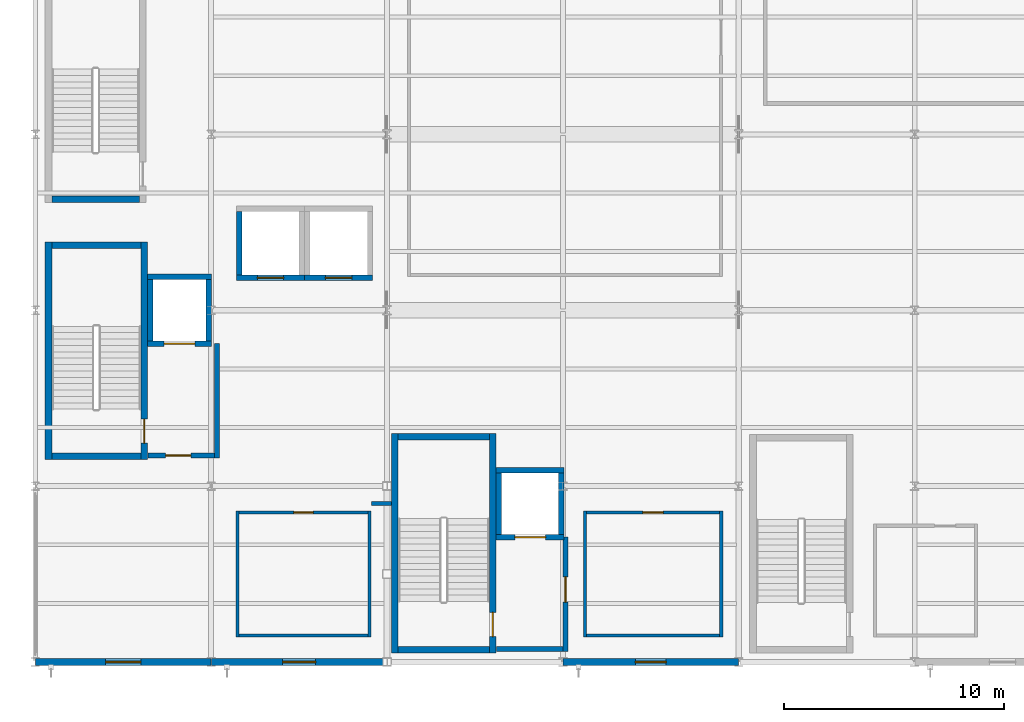
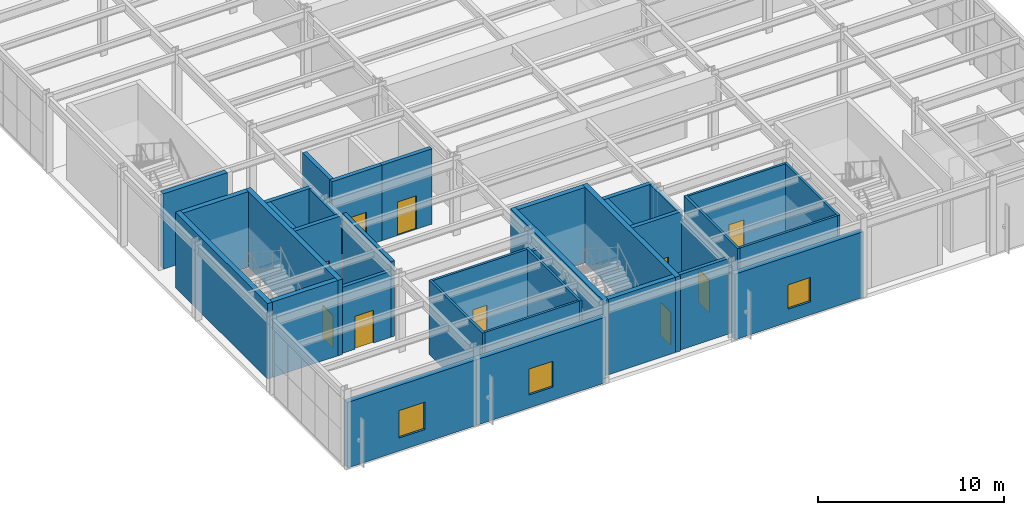
# One storey, part 56 of 77: 36 walls, 10 doors, 3 windows, 13 openings.
"""IFC4 building model written with IfcOpenShell, lengths in metres."""

import ifcopenshell
import ifcopenshell.guid

model = None  # the IFC model being written
_history = None  # IfcOwnerHistory: only IFC2X3 demands one
_inside = {}  # id of a spatial element -> (the spatial element, [elements in it])
_under = {}  # id of a project, library or spatial element -> (it, [spatial elements below it])
_declared = {}  # id of a project -> (the project, [libraries it declares])
_typed = {}  # id of a type object -> (the type object, [elements of that type])
_made_of = {}  # id of a material, layer set ... -> (it, [elements and type objects made of it])


def new_model(schema):
    """Start an empty IFC model of exactly this schema.

    Asked for "IFC4X3", IfcOpenShell would pick the latest addendum, in which some entities
    have other attributes; the version numbers below select the first issue.
    IFC2X3 requires an IfcOwnerHistory on every rooted entity: one is made here for all.
    """
    global model, _history
    if schema == "IFC4X3":
        model = ifcopenshell.file(schema_version=(4, 3, 0, 0))
    else:
        model = ifcopenshell.file(schema=schema)
    _inside.clear()
    _under.clear()
    _declared.clear()
    _typed.clear()
    _made_of.clear()
    _history = None
    if model.schema == "IFC2X3":
        org = make("IfcOrganization", Name="unknown")
        user = make(
            "IfcPersonAndOrganization",
            ThePerson=make("IfcPerson", FamilyName="unknown"),
            TheOrganization=org,
        )
        app = make(
            "IfcApplication",
            ApplicationDeveloper=org,
            Version="unknown",
            ApplicationFullName="unknown",
            ApplicationIdentifier="unknown",
        )
        _history = make(
            "IfcOwnerHistory",
            OwningUser=user,
            OwningApplication=app,
            ChangeAction="ADDED",
            CreationDate=0,
        )
    return model


def make(cls, **values):
    """One entity of the class cls with the attributes given. An attribute that is None is left unset."""
    return model.create_entity(
        cls, **{name: value for name, value in values.items() if value is not None}
    )


def rooted(cls, **values):
    """An entity with a GlobalId (a new one), such as an element, a storey or a relation."""
    return make(cls, GlobalId=ifcopenshell.guid.new(), OwnerHistory=_history, **values)


def si_unit(unit_type, name, prefix=None):
    """IfcSIUnit, for example si_unit("LENGTHUNIT", "METRE", prefix="MILLI")."""
    return make("IfcSIUnit", UnitType=unit_type, Prefix=prefix, Name=name)


def assignment(units):
    """IfcUnitAssignment: the units of a project."""
    return None if units is None else make("IfcUnitAssignment", Units=units)


def point(xyz):
    """IfcCartesianPoint."""
    return None if xyz is None else make("IfcCartesianPoint", Coordinates=xyz)


def direction(xyz):
    """IfcDirection."""
    return None if xyz is None else make("IfcDirection", DirectionRatios=xyz)


def frame(location, z_axis=None, x_axis=None):
    """IfcAxis2Placement3D, a coordinate frame: its origin and axes. An axis left out is left unset."""
    return make(
        "IfcAxis2Placement3D",
        Location=point(location),
        Axis=direction(z_axis),
        RefDirection=direction(x_axis),
    )


def frame_2d(location, x_axis=None):
    """IfcAxis2Placement2D, a coordinate frame in the plane: its origin and x axis."""
    return make(
        "IfcAxis2Placement2D", Location=point(location), RefDirection=direction(x_axis)
    )


def origin():
    """The frame at (0, 0, 0) with its axes left unset."""
    return frame((0.0, 0.0, 0.0))


def place(relative_to, where):
    """IfcLocalPlacement: puts the frame where relative to a parent placement (None: the world)."""
    return make(
        "IfcLocalPlacement", PlacementRelTo=relative_to, RelativePlacement=where
    )


def context(
    kind, dimensions, precision=None, world=None, true_north=None, identifier=None
):
    """IfcGeometricRepresentationContext, for example the 3D "Model" context."""
    return make(
        "IfcGeometricRepresentationContext",
        ContextIdentifier=identifier,
        ContextType=kind,
        CoordinateSpaceDimension=dimensions,
        Precision=precision,
        WorldCoordinateSystem=world,
        TrueNorth=true_north,
    )


def subcontext(parent, identifier, kind, view, scale=None):
    """IfcGeometricRepresentationSubContext, for example "Body" below "Model"."""
    return make(
        "IfcGeometricRepresentationSubContext",
        ContextIdentifier=identifier,
        ContextType=kind,
        ParentContext=parent,
        TargetScale=scale,
        TargetView=view,
    )


def project(units=None, contexts=None):
    """IfcProject with its units and contexts."""
    return rooted(
        "IfcProject",
        Name="project",
        RepresentationContexts=contexts,
        UnitsInContext=assignment(units),
    )


def spatial(cls, under=None, at=None, **own):
    """A site, building, storey or space (cls), placed at a placement, below another one or the project."""
    s = rooted(cls, ObjectPlacement=at, **own)
    if under is not None:
        _under.setdefault(under.id(), (under, []))[1].append(s)
    return s


def profile(cls, at=None, kind="AREA", **sizes):
    """A parametric profile (cls). Its sizes go by their IFC names, for example OverallWidth=200.0."""
    return make(cls, ProfileType=kind, Position=at, **sizes)


def rectangle(**sizes):
    """IfcRectangleProfileDef."""
    return profile("IfcRectangleProfileDef", **sizes)


def extrude(swept, where, along, depth):
    """IfcExtrudedAreaSolid: the profile swept, set in the frame where, extruded along a direction by depth."""
    return make(
        "IfcExtrudedAreaSolid",
        SweptArea=swept,
        Position=where,
        ExtrudedDirection=direction(along),
        Depth=depth,
    )


def shape(context_of_items, identifier, shape_type, items):
    """IfcShapeRepresentation: the items that make up one representation, for example the "Body"."""
    return make(
        "IfcShapeRepresentation",
        ContextOfItems=context_of_items,
        RepresentationIdentifier=identifier,
        RepresentationType=shape_type,
        Items=items,
    )


def material(Name=None, Category=None):
    """IfcMaterial."""
    return make("IfcMaterial", Name=Name, Category=Category)


def layer(
    of_material, thickness, ventilated=None, Name=None, Category=None, Priority=None
):
    """IfcMaterialLayer: one layer of a wall or slab, of a material (None: an air gap)."""
    return make(
        "IfcMaterialLayer",
        Material=of_material,
        LayerThickness=thickness,
        IsVentilated=ventilated,
        Name=Name,
        Category=Category,
        Priority=Priority,
    )


def layer_set(layers, Name=None):
    """IfcMaterialLayerSet."""
    return make("IfcMaterialLayerSet", MaterialLayers=layers, LayerSetName=Name)


def made_of(thing, what):
    """Note that an element or type object is made of a material, layer set ...; save() writes the relation."""
    if what is not None:
        _made_of.setdefault(what.id(), (what, []))[1].append(thing)
    return thing


def type_object(cls, material=None, **own):
    """A type object (cls), such as IfcWallType, which elements share."""
    return made_of(rooted(cls, **own), material)


def element(
    cls,
    number,
    at=None,
    inside=None,
    cuts=None,
    type_object=None,
    material=None,
    context=None,
    identifier="Body",
    shape_type=None,
    held_by="IfcProductDefinitionShape",
    body=None,
    shapes=None,
    **own,
):
    """One element of the class cls, such as IfcWall. Its Tag is "e" and its number.

    at: its placement. inside: the storey or other place that contains it. cuts: it is an
    opening in that element (IfcRelVoidsElement). A single representation is given by context,
    identifier, shape_type and body (its items); several are given by shapes. held_by: the class
    of the entity that holds the representations. save() writes the other relations.
    """
    e = rooted(cls, Tag="e%d" % number, ObjectPlacement=at, **own)
    if body is not None:
        shapes = [shape(context, identifier, shape_type, body)]
    if shapes is not None:
        e.Representation = make(held_by, Representations=shapes)
    if inside is not None:
        _inside.setdefault(inside.id(), (inside, []))[1].append(e)
    if cuts is not None:
        rooted(
            "IfcRelVoidsElement", RelatingBuildingElement=cuts, RelatedOpeningElement=e
        )
    if type_object is not None:
        _typed.setdefault(type_object.id(), (type_object, []))[1].append(e)
    return made_of(e, material)


def fill(opening, filler):
    """IfcRelFillsElement: the door or window that sits in an opening."""
    return rooted(
        "IfcRelFillsElement",
        RelatingOpeningElement=opening,
        RelatedBuildingElement=filler,
    )


def aggregate(whole, parts):
    """IfcRelAggregates: a whole, such as a stair, and the parts it consists of."""
    return rooted("IfcRelAggregates", RelatingObject=whole, RelatedObjects=parts)


def save(model, path):
    """Write the relations noted so far, then the file.

    IfcRelAggregates (storeys below a building ...), IfcRelContainedInSpatialStructure (elements
    in a storey), IfcRelDefinesByType, IfcRelAssociatesMaterial and IfcRelDeclares: one each for
    every whole, place, type object, material and project.
    """
    for whole, parts in _under.values():
        aggregate(whole, parts)
    for where, things in _inside.values():
        rooted(
            "IfcRelContainedInSpatialStructure",
            RelatedElements=things,
            RelatingStructure=where,
        )
    for kind, things in _typed.values():
        rooted("IfcRelDefinesByType", RelatedObjects=things, RelatingType=kind)
    for what, things in _made_of.values():
        rooted("IfcRelAssociatesMaterial", RelatedObjects=things, RelatingMaterial=what)
    for by, libraries in _declared.values():
        rooted("IfcRelDeclares", RelatingContext=by, RelatedDefinitions=libraries)
    model.write(path)


model = new_model("IFC4")

# Units and contexts
model_context = context("Model", 3, precision=1e-05, world=origin(), true_north=direction((0.0, 1.0)))
body_context = subcontext(model_context, "Body", "Model", "MODEL_VIEW")
ifc_project = project(units=[si_unit("LENGTHUNIT", "METRE"), si_unit("AREAUNIT", "SQUARE_METRE"), si_unit("VOLUMEUNIT", "CUBIC_METRE"), si_unit("PLANEANGLEUNIT", "RADIAN"), si_unit("MASSUNIT", "GRAM", prefix="KILO")], contexts=[model_context])

# Site, building, storey
site_placement = place(None, origin())
site = spatial("IfcSite", under=ifc_project, at=site_placement, CompositionType="ELEMENT")
building_placement = place(site_placement, origin())
building = spatial("IfcBuilding", under=site, at=building_placement, Name="Drelvath Fold Interchange", CompositionType="ELEMENT")
storey_placement = place(building_placement, frame((0.0, 0.0, 6.0)))
storey = spatial("IfcBuildingStorey", under=building, at=storey_placement, Name="L01", CompositionType="ELEMENT", Elevation=6.0)

# Wall
ifc_material_1 = material(Name="Concrete f'c 45 MPa (6500 psi)", Category="concrete")
ifc_layer_1 = layer(ifc_material_1, 0.300048828125, Name="Concrete f'c 45 MPa (6500 psi)")
ifc_layer_set_1 = layer_set([ifc_layer_1], Name="Concrete f'c 45 MPa (6500 psi)")
wall_type_1 = type_object("IfcWallType", Name="WL-CR300", PredefinedType="SHEAR", material=ifc_layer_set_1)
wall_1_placement = place(storey_placement, frame((4.75, 12.35009765625, 0.0), z_axis=(0.0, 0.0, 1.0), x_axis=(1.0, 0.0, 0.0)))
element("IfcWall", 1, at=wall_1_placement, inside=storey, type_object=wall_type_1, Name="ST-01 L01 south core wall", PredefinedType="SHEAR", context=body_context, shape_type="SweptSolid", body=[
    extrude(rectangle(XDim=4.06005859375, YDim=0.300048828125, at=frame_2d((2.030029296875, 0.0))), origin(), (0.0, 0.0, 1.0), 4.945068359375),
])

# Wall, opening, door
wall_2_placement = place(storey_placement, frame((8.9599609375, 12.199951171875, 0.0), z_axis=(0.0, 0.0, 1.0), x_axis=(0.0, 1.0, 0.0)))
wall_2 = element("IfcWall", 2, at=wall_2_placement, inside=storey, type_object=wall_type_1, Name="ST-01 L01 east core wall", PredefinedType="SHEAR", context=body_context, shape_type="SweptSolid", body=[
    extrude(rectangle(XDim=9.900146484375, YDim=0.300048828125, at=frame_2d((4.9501953125, 0.0))), origin(), (0.0, 0.0, 1.0), 4.945068359375),
])
opening_1_placement = place(wall_2_placement, frame((0.75, 0.0, 0.0)))
opening_1 = element("IfcOpeningElement", 3, at=opening_1_placement, cuts=wall_2, Name="Opening D-L01-004", PredefinedType="OPENING", context=body_context, shape_type="SweptSolid", body=[
    extrude(rectangle(XDim=1.10009765625, YDim=2.14990234375, at=frame_2d((0.550048828125, 1.074951171875))), frame((0.0, 0.159912109375, 0.0), z_axis=(0.0, -1.0, 0.0), x_axis=(1.0, 0.0, 0.0)), (0.0, 0.0, 1.0), 0.320068359375),
])
ifc_material_2 = material(Name="Insulated Hollow Metal Door Assembly")
door_type_1 = type_object("IfcDoorType", Name="DR-ST1100", OperationType="NOTDEFINED", PredefinedType="DOOR", material=ifc_material_2)
door_1_placement = place(opening_1_placement, origin())
door_1 = element("IfcDoor", 4, at=door_1_placement, inside=storey, type_object=door_type_1, Name="ST-01 L01 stair fire door D-L01-004", OperationType="SINGLE_SWING_RIGHT", OverallHeight=2.14990234375, OverallWidth=1.10009765625, PredefinedType="DOOR", context=body_context, shape_type="SweptSolid", body=[
    extrude(rectangle(XDim=1.10009765625, YDim=2.14990234375, at=frame_2d((0.550048828125, 1.074951171875))), frame((0.0, 0.02490234375, 0.0), z_axis=(0.0, -1.0, 0.0), x_axis=(1.0, 0.0, 0.0)), (0.0, 0.0, 1.0), 0.050048828125),
])
fill(opening_1, door_1)

# Walls
wall_3_placement = place(storey_placement, frame((8.81005859375, 21.949951171875, 0.0), z_axis=(0.0, 0.0, 1.0), x_axis=(-1.0, 0.0, 0.0)))
element("IfcWall", 5, at=wall_3_placement, inside=storey, type_object=wall_type_1, Name="ST-01 L01 north core wall", PredefinedType="SHEAR", context=body_context, shape_type="SweptSolid", body=[
    extrude(rectangle(XDim=4.06005859375, YDim=0.300048828125, at=frame_2d((2.030029296875, 0.0))), origin(), (0.0, 0.0, 1.0), 4.945068359375),
])
wall_4_placement = place(storey_placement, frame((4.60009765625, 22.10009765625, 0.0), z_axis=(0.0, 0.0, 1.0), x_axis=(0.0, -1.0, 0.0)))
element("IfcWall", 6, at=wall_4_placement, inside=storey, type_object=wall_type_1, Name="ST-01 L01 west core wall", PredefinedType="SHEAR", context=body_context, shape_type="SweptSolid", body=[
    extrude(rectangle(XDim=9.900146484375, YDim=0.300048828125, at=frame_2d((4.9501953125, 0.0))), origin(), (0.0, 0.0, 1.0), 4.945068359375),
])
wall_5_placement = place(storey_placement, frame((4.75, 24.050048828125, 0.0), z_axis=(0.0, 0.0, 1.0), x_axis=(1.0, 0.0, 0.0)))
element("IfcWall", 7, at=wall_5_placement, inside=storey, type_object=wall_type_1, Name="ST-02 L01 south core wall", PredefinedType="SHEAR", context=body_context, shape_type="SweptSolid", body=[
    extrude(rectangle(XDim=3.97998046875, YDim=0.300048828125, at=frame_2d((1.989990234375, 0.0))), origin(), (0.0, 0.0, 1.0), 4.945068359375),
])
wall_6_placement = place(storey_placement, frame((20.5, 3.550048828125, 0.0), z_axis=(0.0, 0.0, 1.0), x_axis=(1.0, 0.0, 0.0)))
element("IfcWall", 8, at=wall_6_placement, inside=storey, type_object=wall_type_1, Name="ST-03 L01 south core wall", PredefinedType="SHEAR", context=body_context, shape_type="SweptSolid", body=[
    extrude(rectangle(XDim=4.159912109375, YDim=0.300048828125, at=frame_2d((2.080078125, 0.0))), origin(), (0.0, 0.0, 1.0), 4.945068359375),
])

# Wall, opening, door
wall_7_placement = place(storey_placement, frame((24.81005859375, 3.39990234375, 0.0), z_axis=(0.0, 0.0, 1.0), x_axis=(0.0, 1.0, 0.0)))
wall_7 = element("IfcWall", 9, at=wall_7_placement, inside=storey, type_object=wall_type_1, Name="ST-03 L01 east core wall", PredefinedType="SHEAR", context=body_context, shape_type="SweptSolid", body=[
    extrude(rectangle(XDim=10.0, YDim=0.300048828125, at=frame_2d((5.0, 0.0))), origin(), (0.0, 0.0, 1.0), 4.945068359375),
])
opening_2_placement = place(wall_7_placement, frame((0.75, 0.0, 0.0)))
opening_2 = element("IfcOpeningElement", 10, at=opening_2_placement, cuts=wall_7, Name="Opening D-L01-020", PredefinedType="OPENING", context=body_context, shape_type="SweptSolid", body=[
    extrude(rectangle(XDim=1.10009765625, YDim=2.14990234375, at=frame_2d((0.550048828125, 1.074951171875))), frame((0.0, 0.159912109375, 0.0), z_axis=(0.0, -1.0, 0.0), x_axis=(1.0, 0.0, 0.0)), (0.0, 0.0, 1.0), 0.320068359375),
])
door_2_placement = place(opening_2_placement, origin())
door_2 = element("IfcDoor", 11, at=door_2_placement, inside=storey, type_object=door_type_1, Name="ST-03 L01 stair fire door D-L01-020", OperationType="SINGLE_SWING_RIGHT", OverallHeight=2.14990234375, OverallWidth=1.10009765625, PredefinedType="DOOR", context=body_context, shape_type="SweptSolid", body=[
    extrude(rectangle(XDim=1.10009765625, YDim=2.14990234375, at=frame_2d((0.550048828125, 1.074951171875))), frame((0.0, 0.02490234375, 0.0), z_axis=(0.0, -1.0, 0.0), x_axis=(1.0, 0.0, 0.0)), (0.0, 0.0, 1.0), 0.050048828125),
])
fill(opening_2, door_2)

# Walls
wall_8_placement = place(storey_placement, frame((24.659912109375, 13.25, 0.0), z_axis=(0.0, 0.0, 1.0), x_axis=(-1.0, 0.0, 0.0)))
element("IfcWall", 12, at=wall_8_placement, inside=storey, type_object=wall_type_1, Name="ST-03 L01 north core wall", PredefinedType="SHEAR", context=body_context, shape_type="SweptSolid", body=[
    extrude(rectangle(XDim=4.159912109375, YDim=0.300048828125, at=frame_2d((2.080078125, 0.0))), origin(), (0.0, 0.0, 1.0), 4.945068359375),
])
wall_9_placement = place(storey_placement, frame((20.35009765625, 13.39990234375, 0.0), z_axis=(0.0, 0.0, 1.0), x_axis=(0.0, -1.0, 0.0)))
element("IfcWall", 13, at=wall_9_placement, inside=storey, type_object=wall_type_1, Name="ST-03 L01 west core wall", PredefinedType="SHEAR", context=body_context, shape_type="SweptSolid", body=[
    extrude(rectangle(XDim=10.0, YDim=0.300048828125, at=frame_2d((5.0, 0.0))), origin(), (0.0, 0.0, 1.0), 4.945068359375),
])

# Wall, opening, window
ifc_material_3 = material(Name="Precast concrete f'c 40 MPa (6000 psi)", Category="concrete")
ifc_layer_2 = layer(ifc_material_3, 0.31494140625, Name="Precast concrete f'c 40 MPa (6000 psi)")
ifc_layer_set_2 = layer_set([ifc_layer_2], Name="Precast concrete f'c 40 MPa (6000 psi)")
wall_type_2 = type_object("IfcWallType", Name="WL-EXT315", PredefinedType="SOLIDWALL", material=ifc_layer_set_2)
wall_10_placement = place(storey_placement, frame((4.012939453125, 3.0, 0.0), z_axis=(0.0, 0.0, 1.0), x_axis=(1.0, 0.0, 0.0)))
wall_10 = element("IfcWall", 14, at=wall_10_placement, inside=storey, type_object=wall_type_2, Name="L01 exterior facade wall 55", PredefinedType="SOLIDWALL", context=body_context, shape_type="SweptSolid", body=[
    extrude(rectangle(XDim=7.97412109375, YDim=0.31494140625, at=frame_2d((3.987060546875, 0.0))), origin(), (0.0, 0.0, 1.0), 4.300048828125),
])
opening_3_placement = place(wall_10_placement, frame((3.18701171875, 0.0, 0.85009765625)))
opening_3 = element("IfcOpeningElement", 15, at=opening_3_placement, cuts=wall_10, Name="Opening W-L01-049", PredefinedType="OPENING", context=body_context, shape_type="SweptSolid", body=[
    extrude(rectangle(XDim=1.60009765625, YDim=1.800048828125, at=frame_2d((0.800048828125, 0.89990234375))), frame((0.0, 0.16748046875, 0.0), z_axis=(0.0, -1.0, 0.0), x_axis=(1.0, 0.0, 0.0)), (0.0, 0.0, 1.0), 0.3349609375),
])
ifc_material_4 = material(Name="Low-Iron Insulated Laminated Glass", Category="glass")
window_type_1 = type_object("IfcWindowType", Name="WN-160x180", PartitioningType="SINGLE_PANEL", PredefinedType="WINDOW", material=ifc_material_4)
window_1_placement = place(opening_3_placement, origin())
window_1 = element("IfcWindow", 16, at=window_1_placement, inside=storey, type_object=window_type_1, Name="Facade window W-L01-049", OverallHeight=1.800048828125, OverallWidth=1.60009765625, PartitioningType="SINGLE_PANEL", PredefinedType="WINDOW", context=body_context, shape_type="SweptSolid", body=[
    extrude(rectangle(XDim=1.60009765625, YDim=1.800048828125, at=frame_2d((0.800048828125, 0.89990234375))), frame((0.0, 0.030029296875, 0.0), z_axis=(0.0, -1.0, 0.0), x_axis=(1.0, 0.0, 0.0)), (0.0, 0.0, 1.0), 0.06005859375),
])
fill(opening_3, window_1)

wall_11_placement = place(storey_placement, frame((12.012939453125, 3.0, 0.0), z_axis=(0.0, 0.0, 1.0), x_axis=(1.0, 0.0, 0.0)))
wall_11 = element("IfcWall", 17, at=wall_11_placement, inside=storey, type_object=wall_type_2, Name="L01 exterior facade wall 56", PredefinedType="SOLIDWALL", context=body_context, shape_type="SweptSolid", body=[
    extrude(rectangle(XDim=7.97412109375, YDim=0.31494140625, at=frame_2d((3.987060546875, 0.0))), origin(), (0.0, 0.0, 1.0), 4.300048828125),
])
opening_4_placement = place(wall_11_placement, frame((3.237060546875, 0.0, 0.85009765625)))
opening_4 = element("IfcOpeningElement", 18, at=opening_4_placement, cuts=wall_11, Name="Opening W-L01-050", PredefinedType="OPENING", context=body_context, shape_type="SweptSolid", body=[
    extrude(rectangle(XDim=1.5, YDim=1.699951171875, at=frame_2d((0.75, 0.85009765625))), frame((0.0, 0.16748046875, 0.0), z_axis=(0.0, -1.0, 0.0), x_axis=(1.0, 0.0, 0.0)), (0.0, 0.0, 1.0), 0.3349609375),
])
window_type_2 = type_object("IfcWindowType", Name="WN-150x170", PartitioningType="SINGLE_PANEL", PredefinedType="WINDOW", material=ifc_material_4)
window_2_placement = place(opening_4_placement, origin())
window_2 = element("IfcWindow", 19, at=window_2_placement, inside=storey, type_object=window_type_2, Name="Facade window W-L01-050", OverallHeight=1.699951171875, OverallWidth=1.5, PartitioningType="SINGLE_PANEL", PredefinedType="WINDOW", context=body_context, shape_type="SweptSolid", body=[
    extrude(rectangle(XDim=1.5, YDim=1.699951171875, at=frame_2d((0.75, 0.85009765625))), frame((0.0, 0.030029296875, 0.0), z_axis=(0.0, -1.0, 0.0), x_axis=(1.0, 0.0, 0.0)), (0.0, 0.0, 1.0), 0.06005859375),
])
fill(opening_4, window_2)

wall_12_placement = place(storey_placement, frame((28.012939453125, 3.0, 0.0), z_axis=(0.0, 0.0, 1.0), x_axis=(1.0, 0.0, 0.0)))
wall_12 = element("IfcWall", 20, at=wall_12_placement, inside=storey, type_object=wall_type_2, Name="L01 exterior facade wall 57", PredefinedType="SOLIDWALL", context=body_context, shape_type="SweptSolid", body=[
    extrude(rectangle(XDim=7.97412109375, YDim=0.31494140625, at=frame_2d((3.987060546875, 0.0))), origin(), (0.0, 0.0, 1.0), 4.300048828125),
])
opening_5_placement = place(wall_12_placement, frame((3.287109375, 0.0, 0.85009765625)))
opening_5 = element("IfcOpeningElement", 21, at=opening_5_placement, cuts=wall_12, Name="Opening W-L01-051", PredefinedType="OPENING", context=body_context, shape_type="SweptSolid", body=[
    extrude(rectangle(XDim=1.39990234375, YDim=1.60009765625, at=frame_2d((0.699951171875, 0.800048828125))), frame((0.0, 0.16748046875, 0.0), z_axis=(0.0, -1.0, 0.0), x_axis=(1.0, 0.0, 0.0)), (0.0, 0.0, 1.0), 0.3349609375),
])
window_type_3 = type_object("IfcWindowType", Name="WN-140x160", PartitioningType="SINGLE_PANEL", PredefinedType="WINDOW", material=ifc_material_4)
window_3_placement = place(opening_5_placement, origin())
window_3 = element("IfcWindow", 22, at=window_3_placement, inside=storey, type_object=window_type_3, Name="Facade window W-L01-051", OverallHeight=1.60009765625, OverallWidth=1.39990234375, PartitioningType="SINGLE_PANEL", PredefinedType="WINDOW", context=body_context, shape_type="SweptSolid", body=[
    extrude(rectangle(XDim=1.39990234375, YDim=1.60009765625, at=frame_2d((0.699951171875, 0.800048828125))), frame((0.0, 0.030029296875, 0.0), z_axis=(0.0, -1.0, 0.0), x_axis=(1.0, 0.0, 0.0)), (0.0, 0.0, 1.0), 0.06005859375),
])
fill(opening_5, window_3)

# Wall, opening, door
ifc_layer_3 = layer(ifc_material_1, 0.219970703125, Name="Concrete f'c 45 MPa (6500 psi)")
ifc_layer_set_3 = layer_set([ifc_layer_3], Name="Concrete f'c 45 MPa (6500 psi)")
wall_type_3 = type_object("IfcWallType", Name="WL-FF220", PredefinedType="SOLIDWALL", material=ifc_layer_set_3)
wall_13_placement = place(storey_placement, frame((9.1201171875, 12.389892578125, 0.0), z_axis=(0.0, 0.0, 1.0), x_axis=(1.0, 0.0, 0.0)))
wall_13 = element("IfcWall", 23, at=wall_13_placement, inside=storey, type_object=wall_type_3, Name="Firefighting Lift Lobby FF-1 L01 south rated wall", PredefinedType="SOLIDWALL", context=body_context, shape_type="SweptSolid", body=[
    extrude(rectangle(XDim=3.039794921875, YDim=0.219970703125, at=frame_2d((1.52001953125, 0.0))), origin(), (0.0, 0.0, 1.0), 4.326904296875),
])
opening_6_placement = place(wall_13_placement, frame((0.804931640625, 0.0, 0.0)))
opening_6 = element("IfcOpeningElement", 24, at=opening_6_placement, cuts=wall_13, Name="Opening D-L01-051", PredefinedType="OPENING", context=body_context, shape_type="SweptSolid", body=[
    extrude(rectangle(XDim=1.14990234375, YDim=2.14990234375, at=frame_2d((0.574951171875, 1.074951171875))), frame((0.0, 0.119873046875, 0.0), z_axis=(0.0, -1.0, 0.0), x_axis=(1.0, 0.0, 0.0)), (0.0, 0.0, 1.0), 0.239990234375),
])
door_type_2 = type_object("IfcDoorType", Name="DR-FF1150", OperationType="NOTDEFINED", PredefinedType="DOOR", material=ifc_material_2)
door_3_placement = place(opening_6_placement, frame((1.14990234375, 0.0, 0.0), z_axis=(0.0, 0.0, 1.0), x_axis=(-1.0, 0.0, 0.0)))
door_3 = element("IfcDoor", 25, at=door_3_placement, inside=storey, type_object=door_type_2, Name="Firefighting Lift Lobby FF-1 L01 corridor fire door D-L01-051", OperationType="SINGLE_SWING_LEFT", OverallHeight=2.14990234375, OverallWidth=1.14990234375, PredefinedType="DOOR", context=body_context, shape_type="SweptSolid", body=[
    extrude(rectangle(XDim=1.14990234375, YDim=2.14990234375, at=frame_2d((0.574951171875, 1.074951171875))), frame((0.0, 0.02490234375, 0.0), z_axis=(0.0, -1.0, 0.0), x_axis=(1.0, 0.0, 0.0)), (0.0, 0.0, 1.0), 0.050048828125),
])
fill(opening_6, door_3)

# Walls
wall_14_placement = place(storey_placement, frame((12.27001953125, 12.280029296875, 0.0), z_axis=(0.0, 0.0, 1.0), x_axis=(0.0, 1.0, 0.0)))
element("IfcWall", 26, at=wall_14_placement, inside=storey, type_object=wall_type_3, Name="Firefighting Lift Lobby FF-1 L01 east rated wall", PredefinedType="SOLIDWALL", context=body_context, shape_type="SweptSolid", body=[
    extrude(rectangle(XDim=5.2099609375, YDim=0.219970703125, at=frame_2d((2.60498046875, 0.0))), origin(), (0.0, 0.0, 1.0), 4.945068359375),
])
wall_15_placement = place(storey_placement, frame((24.969970703125, 3.590087890625, 0.0), z_axis=(0.0, 0.0, 1.0), x_axis=(1.0, 0.0, 0.0)))
element("IfcWall", 27, at=wall_15_placement, inside=storey, type_object=wall_type_3, Name="Firefighting Lift Lobby FF-2 L01 south rated wall", PredefinedType="SOLIDWALL", context=body_context, shape_type="SweptSolid", body=[
    extrude(rectangle(XDim=3.0400390625, YDim=0.219970703125, at=frame_2d((1.52001953125, 0.0))), origin(), (0.0, 0.0, 1.0), 4.945068359375),
])

# Wall, opening, door
wall_16_placement = place(storey_placement, frame((28.1201171875, 3.47998046875, 0.0), z_axis=(0.0, 0.0, 1.0), x_axis=(0.0, 1.0, 0.0)))
wall_16 = element("IfcWall", 28, at=wall_16_placement, inside=storey, type_object=wall_type_3, Name="Firefighting Lift Lobby FF-2 L01 east rated wall", PredefinedType="SOLIDWALL", context=body_context, shape_type="SweptSolid", body=[
    extrude(rectangle(XDim=5.2099609375, YDim=0.219970703125, at=frame_2d((2.60498046875, 0.0))), origin(), (0.0, 0.0, 1.0), 4.326904296875),
])
opening_7_placement = place(wall_16_placement, frame((2.2451171875, 0.0, 0.0)))
opening_7 = element("IfcOpeningElement", 29, at=opening_7_placement, cuts=wall_16, Name="Opening D-L01-059", PredefinedType="OPENING", context=body_context, shape_type="SweptSolid", body=[
    extrude(rectangle(XDim=1.14990234375, YDim=2.14990234375, at=frame_2d((0.574951171875, 1.074951171875))), frame((0.0, 0.119873046875, 0.0), z_axis=(0.0, -1.0, 0.0), x_axis=(1.0, 0.0, 0.0)), (0.0, 0.0, 1.0), 0.239990234375),
])
door_4_placement = place(opening_7_placement, origin())
door_4 = element("IfcDoor", 30, at=door_4_placement, inside=storey, type_object=door_type_2, Name="Firefighting Lift Lobby FF-2 L01 corridor fire door D-L01-059", OperationType="SINGLE_SWING_LEFT", OverallHeight=2.14990234375, OverallWidth=1.14990234375, PredefinedType="DOOR", context=body_context, shape_type="SweptSolid", body=[
    extrude(rectangle(XDim=1.14990234375, YDim=2.14990234375, at=frame_2d((0.574951171875, 1.074951171875))), frame((0.0, 0.02490234375, 0.0), z_axis=(0.0, -1.0, 0.0), x_axis=(1.0, 0.0, 0.0)), (0.0, 0.0, 1.0), 0.050048828125),
])
fill(opening_7, door_4)

# Walls
ifc_material_5 = material(Name="Fire-Rated Gypsum Board Assembly")
ifc_layer_4 = layer(ifc_material_5, 0.179931640625, Name="Fire-Rated Gypsum Board Assembly")
ifc_layer_set_4 = layer_set([ifc_layer_4], Name="Fire-Rated Gypsum Board Assembly")
wall_type_4 = type_object("IfcWallType", Name="WL-FR180", PredefinedType="PARTITIONING", material=ifc_layer_set_4)
wall_17_placement = place(storey_placement, frame((19.2900390625, 10.199951171875, 0.0), z_axis=(0.0, 0.0, 1.0), x_axis=(1.0, 0.0, 0.0)))
element("IfcWall", 31, at=wall_17_placement, inside=storey, type_object=wall_type_4, Name="L01 braced frame shaft closure partition", PredefinedType="PARTITIONING", context=body_context, shape_type="SweptSolid", body=[
    extrude(rectangle(XDim=0.909912109375, YDim=0.179931640625, at=frame_2d((0.455078125, 0.0))), origin(), (0.0, 0.0, 1.0), 4.326904296875),
])
ifc_material_6 = material(Name="Acoustic Gypsum Board Partition Assembly")
ifc_layer_5 = layer(ifc_material_6, 0.14501953125, Name="Acoustic Gypsum Board Partition Assembly")
ifc_layer_set_5 = layer_set([ifc_layer_5], Name="Acoustic Gypsum Board Partition Assembly")
wall_type_5 = type_object("IfcWallType", Name="WL-PT145", PredefinedType="PARTITIONING", material=ifc_layer_set_5)
wall_18_placement = place(storey_placement, frame((13.27197265625, 4.199951171875, 0.0), z_axis=(0.0, 0.0, 1.0), x_axis=(1.0, 0.0, 0.0)))
element("IfcWall", 32, at=wall_18_placement, inside=storey, type_object=wall_type_5, Name="Gallery Public Toilet Men S partition", PredefinedType="PARTITIONING", context=body_context, shape_type="SweptSolid", body=[
    extrude(rectangle(XDim=5.85498046875, YDim=0.14501953125, at=frame_2d((2.927490234375, 0.0))), origin(), (0.0, 0.0, 1.0), 4.8701171875),
])
wall_19_placement = place(storey_placement, frame((19.199951171875, 4.1279296875, 0.0), z_axis=(0.0, 0.0, 1.0), x_axis=(0.0, 1.0, 0.0)))
element("IfcWall", 33, at=wall_19_placement, inside=storey, type_object=wall_type_5, Name="Gallery Public Toilet Men E partition", PredefinedType="PARTITIONING", context=body_context, shape_type="SweptSolid", body=[
    extrude(rectangle(XDim=5.7451171875, YDim=0.14501953125, at=frame_2d((2.87255859375, 0.0))), origin(), (0.0, 0.0, 1.0), 4.8701171875),
])

# Wall, opening, door
wall_20_placement = place(storey_placement, frame((19.126953125, 9.800048828125, 0.0), z_axis=(0.0, 0.0, 1.0), x_axis=(-1.0, 0.0, 0.0)))
wall_20 = element("IfcWall", 34, at=wall_20_placement, inside=storey, type_object=wall_type_5, Name="Gallery Public Toilet Men N partition", PredefinedType="PARTITIONING", context=body_context, shape_type="SweptSolid", body=[
    extrude(rectangle(XDim=5.85498046875, YDim=0.14501953125, at=frame_2d((2.927490234375, 0.0))), origin(), (0.0, 0.0, 1.0), 4.8701171875),
])
opening_8_placement = place(wall_20_placement, frame((2.487060546875, 0.0, 0.0)))
opening_8 = element("IfcOpeningElement", 35, at=opening_8_placement, cuts=wall_20, Name="Opening D-L01-107", PredefinedType="OPENING", context=body_context, shape_type="SweptSolid", body=[
    extrude(rectangle(XDim=0.8798828125, YDim=2.080078125, at=frame_2d((0.43994140625, 1.0400390625))), frame((0.0, 0.08251953125, 0.0), z_axis=(0.0, -1.0, 0.0), x_axis=(1.0, 0.0, 0.0)), (0.0, 0.0, 1.0), 0.1650390625),
])
ifc_material_7 = material(Name="Anodized Aluminium Glazed Door Assembly", Category="aluminium")
door_type_3 = type_object("IfcDoorType", Name="DR-NR088", OperationType="NOTDEFINED", PredefinedType="DOOR", material=ifc_material_7)
door_5_placement = place(opening_8_placement, origin())
door_5 = element("IfcDoor", 36, at=door_5_placement, inside=storey, type_object=door_type_3, Name="Gallery Public Toilet Men door D-L01-107", OperationType="SINGLE_SWING_LEFT", OverallHeight=2.080078125, OverallWidth=0.8798828125, PredefinedType="DOOR", context=body_context, shape_type="SweptSolid", body=[
    extrude(rectangle(XDim=0.8798828125, YDim=2.080078125, at=frame_2d((0.43994140625, 1.0400390625))), frame((0.0, 0.02490234375, 0.0), z_axis=(0.0, -1.0, 0.0), x_axis=(1.0, 0.0, 0.0)), (0.0, 0.0, 1.0), 0.050048828125),
])
fill(opening_8, door_5)

# Walls
wall_21_placement = place(storey_placement, frame((13.199951171875, 9.873046875, 0.0), z_axis=(0.0, 0.0, 1.0), x_axis=(0.0, -1.0, 0.0)))
element("IfcWall", 37, at=wall_21_placement, inside=storey, type_object=wall_type_5, Name="Gallery Public Toilet Men W partition", PredefinedType="PARTITIONING", context=body_context, shape_type="SweptSolid", body=[
    extrude(rectangle(XDim=5.7451171875, YDim=0.14501953125, at=frame_2d((2.87255859375, 0.0))), origin(), (0.0, 0.0, 1.0), 4.8701171875),
])
wall_22_placement = place(storey_placement, frame((29.072998046875, 4.199951171875, 0.0), z_axis=(0.0, 0.0, 1.0), x_axis=(1.0, 0.0, 0.0)))
element("IfcWall", 38, at=wall_22_placement, inside=storey, type_object=wall_type_5, Name="Gallery Public Toilet Women S partition", PredefinedType="PARTITIONING", context=body_context, shape_type="SweptSolid", body=[
    extrude(rectangle(XDim=6.054931640625, YDim=0.14501953125, at=frame_2d((3.02734375, 0.0))), origin(), (0.0, 0.0, 1.0), 4.8701171875),
])
wall_23_placement = place(storey_placement, frame((35.199951171875, 4.1279296875, 0.0), z_axis=(0.0, 0.0, 1.0), x_axis=(0.0, 1.0, 0.0)))
element("IfcWall", 39, at=wall_23_placement, inside=storey, type_object=wall_type_5, Name="Gallery Public Toilet Women E partition", PredefinedType="PARTITIONING", context=body_context, shape_type="SweptSolid", body=[
    extrude(rectangle(XDim=5.7451171875, YDim=0.14501953125, at=frame_2d((2.87255859375, 0.0))), origin(), (0.0, 0.0, 1.0), 4.8701171875),
])

# Wall, opening, door
wall_24_placement = place(storey_placement, frame((35.1279296875, 9.800048828125, 0.0), z_axis=(0.0, 0.0, 1.0), x_axis=(-1.0, 0.0, 0.0)))
wall_24 = element("IfcWall", 40, at=wall_24_placement, inside=storey, type_object=wall_type_5, Name="Gallery Public Toilet Women N partition", PredefinedType="PARTITIONING", context=body_context, shape_type="SweptSolid", body=[
    extrude(rectangle(XDim=6.054931640625, YDim=0.14501953125, at=frame_2d((3.02734375, 0.0))), origin(), (0.0, 0.0, 1.0), 4.8701171875),
])
opening_9_placement = place(wall_24_placement, frame((2.56689453125, 0.0, 0.0)))
opening_9 = element("IfcOpeningElement", 41, at=opening_9_placement, cuts=wall_24, Name="Opening D-L01-108", PredefinedType="OPENING", context=body_context, shape_type="SweptSolid", body=[
    extrude(rectangle(XDim=0.919921875, YDim=2.10009765625, at=frame_2d((0.4599609375, 1.050048828125))), frame((0.0, 0.08251953125, 0.0), z_axis=(0.0, -1.0, 0.0), x_axis=(1.0, 0.0, 0.0)), (0.0, 0.0, 1.0), 0.1650390625),
])
door_type_4 = type_object("IfcDoorType", Name="DR-NR092", OperationType="NOTDEFINED", PredefinedType="DOOR", material=ifc_material_7)
door_6_placement = place(opening_9_placement, origin())
door_6 = element("IfcDoor", 42, at=door_6_placement, inside=storey, type_object=door_type_4, Name="Gallery Public Toilet Women door D-L01-108", OperationType="SINGLE_SWING_RIGHT", OverallHeight=2.10009765625, OverallWidth=0.919921875, PredefinedType="DOOR", context=body_context, shape_type="SweptSolid", body=[
    extrude(rectangle(XDim=0.919921875, YDim=2.10009765625, at=frame_2d((0.4599609375, 1.050048828125))), frame((0.0, 0.02490234375, 0.0), z_axis=(0.0, -1.0, 0.0), x_axis=(1.0, 0.0, 0.0)), (0.0, 0.0, 1.0), 0.050048828125),
])
fill(opening_9, door_6)

# Wall
wall_25_placement = place(storey_placement, frame((29.0, 9.873046875, 0.0), z_axis=(0.0, 0.0, 1.0), x_axis=(0.0, -1.0, 0.0)))
element("IfcWall", 43, at=wall_25_placement, inside=storey, type_object=wall_type_5, Name="Gallery Public Toilet Women W partition", PredefinedType="PARTITIONING", context=body_context, shape_type="SweptSolid", body=[
    extrude(rectangle(XDim=5.7451171875, YDim=0.14501953125, at=frame_2d((2.87255859375, 0.0))), origin(), (0.0, 0.0, 1.0), 4.8701171875),
])

# Wall, opening, door
ifc_layer_6 = layer(ifc_material_1, 0.25, Name="Concrete f'c 45 MPa (6500 psi)")
ifc_layer_set_6 = layer_set([ifc_layer_6], Name="Concrete f'c 45 MPa (6500 psi)")
wall_type_6 = type_object("IfcWallType", Name="WL-SH250", PredefinedType="SOLIDWALL", material=ifc_layer_set_6)
wall_26_placement = place(storey_placement, frame((9.110107421875, 17.47509765625, 0.0), z_axis=(0.0, 0.0, 1.0), x_axis=(1.0, 0.0, 0.0)))
wall_26 = element("IfcWall", 44, at=wall_26_placement, inside=storey, type_object=wall_type_6, Name="LF-FF1 L01 south shaft wall", PredefinedType="SOLIDWALL", context=body_context, shape_type="SweptSolid", body=[
    extrude(rectangle(XDim=2.89990234375, YDim=0.25, at=frame_2d((1.449951171875, 0.0))), origin(), (0.0, 0.0, 1.0), 4.945068359375),
])
opening_10_placement = place(wall_26_placement, frame((0.75, 0.0, 0.0)))
opening_10 = element("IfcOpeningElement", 45, at=opening_10_placement, cuts=wall_26, Name="Opening LD-LF-FF1-L01", PredefinedType="OPENING", context=body_context, shape_type="SweptSolid", body=[
    extrude(rectangle(XDim=1.39990234375, YDim=2.25, at=frame_2d((0.699951171875, 1.125))), frame((0.0, 0.135009765625, 0.0), z_axis=(0.0, -1.0, 0.0), x_axis=(1.0, 0.0, 0.0)), (0.0, 0.0, 1.0), 0.27001953125),
])
door_type_5 = type_object("IfcDoorType", Name="DR-LD1400", OperationType="DOUBLE_DOOR_SLIDING", PredefinedType="DOOR", material=ifc_material_2)
door_7_placement = place(opening_10_placement, frame((1.39990234375, 0.0, 0.0), z_axis=(0.0, 0.0, 1.0), x_axis=(-1.0, 0.0, 0.0)))
door_7 = element("IfcDoor", 46, at=door_7_placement, inside=storey, type_object=door_type_5, Name="LF-FF1 L01 lift landing sliding door LD-LF-FF1-L01", OperationType="DOUBLE_DOOR_SLIDING", OverallHeight=2.25, OverallWidth=1.39990234375, PredefinedType="DOOR", context=body_context, shape_type="SweptSolid", body=[
    extrude(rectangle(XDim=1.39990234375, YDim=2.25, at=frame_2d((0.699951171875, 1.125))), frame((0.0, 0.02490234375, 0.0), z_axis=(0.0, -1.0, 0.0), x_axis=(1.0, 0.0, 0.0)), (0.0, 0.0, 1.0), 0.050048828125),
])
fill(opening_10, door_7)

# Walls
wall_27_placement = place(storey_placement, frame((12.010009765625, 20.52490234375, 0.0), z_axis=(0.0, 0.0, 1.0), x_axis=(-1.0, 0.0, 0.0)))
element("IfcWall", 47, at=wall_27_placement, inside=storey, type_object=wall_type_6, Name="LF-FF1 L01 north shaft wall", PredefinedType="SOLIDWALL", context=body_context, shape_type="SweptSolid", body=[
    extrude(rectangle(XDim=2.89990234375, YDim=0.25, at=frame_2d((1.449951171875, 0.0))), origin(), (0.0, 0.0, 1.0), 4.945068359375),
])
for number, where, z_axis, x_axis, name in (
    (48, (11.885009765625, 17.60009765625, 0.0), (0.0, 0.0, 1.0), (0.0, 1.0, 0.0), "LF-FF1 L01 east shaft wall"),
    (49, (9.235107421875, 20.39990234375, 0.0), (0.0, 0.0, 1.0), (0.0, -1.0, 0.0), "LF-FF1 L01 west shaft wall"),
):
    element("IfcWall", number, at=place(storey_placement, frame(where, z_axis=z_axis, x_axis=x_axis)), inside=storey, type_object=wall_type_6, Name=name, PredefinedType="SOLIDWALL", context=body_context, shape_type="SweptSolid", body=[
        extrude(rectangle(XDim=2.7998046875, YDim=0.25, at=frame_2d((1.39990234375, 0.0))), origin(), (0.0, 0.0, 1.0), 4.945068359375),
    ])

# Wall, opening, door
wall_28_placement = place(storey_placement, frame((24.9599609375, 8.675048828125, 0.0), z_axis=(0.0, 0.0, 1.0), x_axis=(1.0, 0.0, 0.0)))
wall_28 = element("IfcWall", 50, at=wall_28_placement, inside=storey, type_object=wall_type_6, Name="LF-FF2 L01 south shaft wall", PredefinedType="SOLIDWALL", context=body_context, shape_type="SweptSolid", body=[
    extrude(rectangle(XDim=3.10009765625, YDim=0.25, at=frame_2d((1.550048828125, 0.0))), origin(), (0.0, 0.0, 1.0), 4.945068359375),
])
opening_11_placement = place(wall_28_placement, frame((0.85009765625, 0.0, 0.0)))
opening_11 = element("IfcOpeningElement", 51, at=opening_11_placement, cuts=wall_28, Name="Opening LD-LF-FF2-L01", PredefinedType="OPENING", context=body_context, shape_type="SweptSolid", body=[
    extrude(rectangle(XDim=1.39990234375, YDim=2.25, at=frame_2d((0.699951171875, 1.125))), frame((0.0, 0.135009765625, 0.0), z_axis=(0.0, -1.0, 0.0), x_axis=(1.0, 0.0, 0.0)), (0.0, 0.0, 1.0), 0.27001953125),
])
door_8_placement = place(opening_11_placement, frame((1.39990234375, 0.0, 0.0), z_axis=(0.0, 0.0, 1.0), x_axis=(-1.0, 0.0, 0.0)))
door_8 = element("IfcDoor", 52, at=door_8_placement, inside=storey, type_object=door_type_5, Name="LF-FF2 L01 lift landing sliding door LD-LF-FF2-L01", OperationType="DOUBLE_DOOR_SLIDING", OverallHeight=2.25, OverallWidth=1.39990234375, PredefinedType="DOOR", context=body_context, shape_type="SweptSolid", body=[
    extrude(rectangle(XDim=1.39990234375, YDim=2.25, at=frame_2d((0.699951171875, 1.125))), frame((0.0, 0.02490234375, 0.0), z_axis=(0.0, -1.0, 0.0), x_axis=(1.0, 0.0, 0.0)), (0.0, 0.0, 1.0), 0.050048828125),
])
fill(opening_11, door_8)

# Walls
wall_29_placement = place(storey_placement, frame((28.06005859375, 11.72509765625, 0.0), z_axis=(0.0, 0.0, 1.0), x_axis=(-1.0, 0.0, 0.0)))
element("IfcWall", 53, at=wall_29_placement, inside=storey, type_object=wall_type_6, Name="LF-FF2 L01 north shaft wall", PredefinedType="SOLIDWALL", context=body_context, shape_type="SweptSolid", body=[
    extrude(rectangle(XDim=3.10009765625, YDim=0.25, at=frame_2d((1.550048828125, 0.0))), origin(), (0.0, 0.0, 1.0), 4.945068359375),
])
for number, where, z_axis, x_axis, name in (
    (54, (27.93505859375, 8.800048828125, 0.0), (0.0, 0.0, 1.0), (0.0, 1.0, 0.0), "LF-FF2 L01 east shaft wall"),
    (55, (25.0849609375, 11.60009765625, 0.0), (0.0, 0.0, 1.0), (0.0, -1.0, 0.0), "LF-FF2 L01 west shaft wall"),
):
    element("IfcWall", number, at=place(storey_placement, frame(where, z_axis=z_axis, x_axis=x_axis)), inside=storey, type_object=wall_type_6, Name=name, PredefinedType="SOLIDWALL", context=body_context, shape_type="SweptSolid", body=[
        extrude(rectangle(XDim=2.800048828125, YDim=0.25, at=frame_2d((1.39990234375, 0.0))), origin(), (0.0, 0.0, 1.0), 4.945068359375),
    ])

# Wall, opening, door
wall_30_placement = place(storey_placement, frame((13.14990234375, 20.47509765625, 0.0), z_axis=(0.0, 0.0, 1.0), x_axis=(1.0, 0.0, 0.0)))
wall_30 = element("IfcWall", 56, at=wall_30_placement, inside=storey, type_object=wall_type_6, Name="LF-01 L01 south shaft wall", PredefinedType="SOLIDWALL", context=body_context, shape_type="SweptSolid", body=[
    extrude(rectangle(XDim=3.10009765625, YDim=0.25, at=frame_2d((1.550048828125, 0.0))), origin(), (0.0, 0.0, 1.0), 4.945068359375),
])
opening_12_placement = place(wall_30_placement, frame((0.949951171875, 0.0, 0.0)))
opening_12 = element("IfcOpeningElement", 57, at=opening_12_placement, cuts=wall_30, Name="Opening LD-LF-01-L01", PredefinedType="OPENING", context=body_context, shape_type="SweptSolid", body=[
    extrude(rectangle(XDim=1.199951171875, YDim=2.199951171875, at=frame_2d((0.60009765625, 1.10009765625))), frame((0.0, 0.135009765625, 0.0), z_axis=(0.0, -1.0, 0.0), x_axis=(1.0, 0.0, 0.0)), (0.0, 0.0, 1.0), 0.27001953125),
])
door_type_6 = type_object("IfcDoorType", Name="DR-LD1200", OperationType="DOUBLE_DOOR_SLIDING", PredefinedType="DOOR", material=ifc_material_2)
door_9_placement = place(opening_12_placement, frame((1.199951171875, 0.0, 0.0), z_axis=(0.0, 0.0, 1.0), x_axis=(-1.0, 0.0, 0.0)))
door_9 = element("IfcDoor", 58, at=door_9_placement, inside=storey, type_object=door_type_6, Name="LF-01 L01 lift landing sliding door LD-LF-01-L01", OperationType="DOUBLE_DOOR_SLIDING", OverallHeight=2.199951171875, OverallWidth=1.199951171875, PredefinedType="DOOR", context=body_context, shape_type="SweptSolid", body=[
    extrude(rectangle(XDim=1.199951171875, YDim=2.199951171875, at=frame_2d((0.60009765625, 1.10009765625))), frame((0.0, 0.02490234375, 0.0), z_axis=(0.0, -1.0, 0.0), x_axis=(1.0, 0.0, 0.0)), (0.0, 0.0, 1.0), 0.050048828125),
])
fill(opening_12, door_9)

# Wall
wall_31_placement = place(storey_placement, frame((13.27490234375, 23.5, 0.0), z_axis=(0.0, 0.0, 1.0), x_axis=(0.0, -1.0, 0.0)))
element("IfcWall", 59, at=wall_31_placement, inside=storey, type_object=wall_type_6, Name="LF-01 L01 west shaft wall", PredefinedType="SOLIDWALL", context=body_context, shape_type="SweptSolid", body=[
    extrude(rectangle(XDim=2.89990234375, YDim=0.25, at=frame_2d((1.449951171875, 0.0))), origin(), (0.0, 0.0, 1.0), 4.945068359375),
])

# Wall, opening, door
wall_32_placement = place(storey_placement, frame((16.25, 20.47509765625, 0.0), z_axis=(0.0, 0.0, 1.0), x_axis=(1.0, 0.0, 0.0)))
wall_32 = element("IfcWall", 60, at=wall_32_placement, inside=storey, type_object=wall_type_6, Name="LF-02 L01 south shaft wall", PredefinedType="SOLIDWALL", context=body_context, shape_type="SweptSolid", body=[
    extrude(rectangle(XDim=3.10009765625, YDim=0.25, at=frame_2d((1.550048828125, 0.0))), origin(), (0.0, 0.0, 1.0), 4.945068359375),
])
opening_13_placement = place(wall_32_placement, frame((0.949951171875, 0.0, 0.0)))
opening_13 = element("IfcOpeningElement", 61, at=opening_13_placement, cuts=wall_32, Name="Opening LD-LF-02-L01", PredefinedType="OPENING", context=body_context, shape_type="SweptSolid", body=[
    extrude(rectangle(XDim=1.199951171875, YDim=2.199951171875, at=frame_2d((0.60009765625, 1.10009765625))), frame((0.0, 0.135009765625, 0.0), z_axis=(0.0, -1.0, 0.0), x_axis=(1.0, 0.0, 0.0)), (0.0, 0.0, 1.0), 0.27001953125),
])
door_10_placement = place(opening_13_placement, frame((1.199951171875, 0.0, 0.0), z_axis=(0.0, 0.0, 1.0), x_axis=(-1.0, 0.0, 0.0)))
door_10 = element("IfcDoor", 62, at=door_10_placement, inside=storey, type_object=door_type_6, Name="LF-02 L01 lift landing sliding door LD-LF-02-L01", OperationType="DOUBLE_DOOR_SLIDING", OverallHeight=2.199951171875, OverallWidth=1.199951171875, PredefinedType="DOOR", context=body_context, shape_type="SweptSolid", body=[
    extrude(rectangle(XDim=1.199951171875, YDim=2.199951171875, at=frame_2d((0.60009765625, 1.10009765625))), frame((0.0, 0.02490234375, 0.0), z_axis=(0.0, -1.0, 0.0), x_axis=(1.0, 0.0, 0.0)), (0.0, 0.0, 1.0), 0.050048828125),
])
fill(opening_13, door_10)

save(model, "model.ifc")
